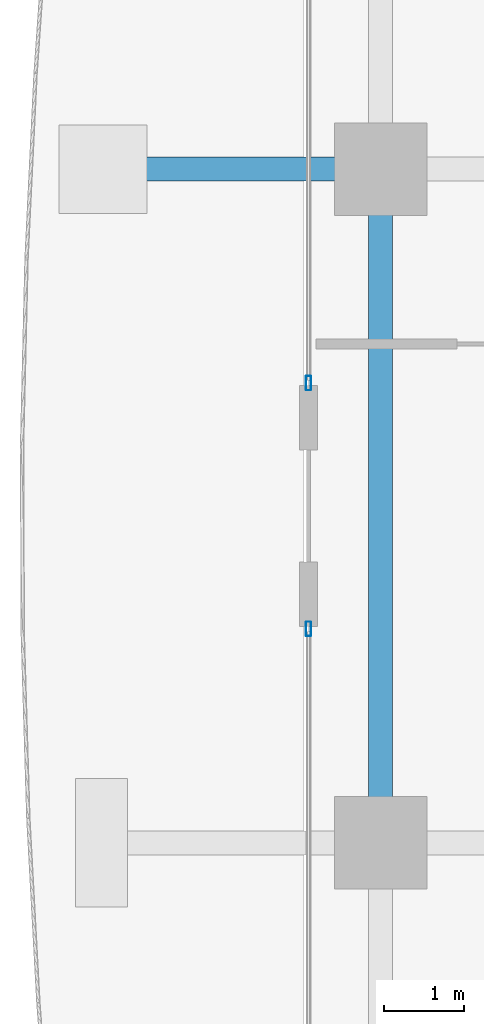
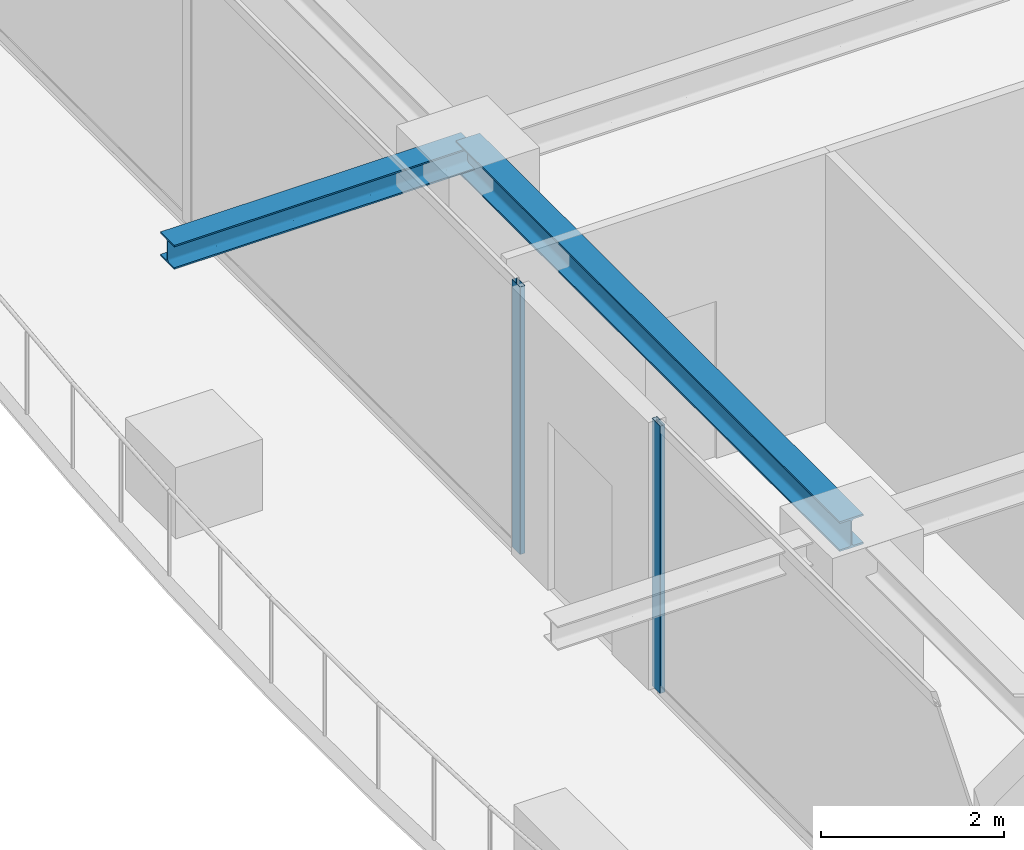
# One storey, part 9 of 35: 2 beams, 2 members, 2 elements without a shape of their own.
"""IFC4 building model written with IfcOpenShell, lengths in metres."""

from ifc_helpers import new_model, si_unit, direction, frame, origin, origin_2d, place, context, subcontext, project, spatial, hollow_rectangle, i_section, extrude, source, transform, mapped, material, layer, layer_set, material_profile, profile_set, type_object, element, aggregate, save


model = new_model("IFC4")

# Units and contexts
model_context = context("Model", 3, precision=1e-05, world=origin(), true_north=direction((0.0, 1.0)))
body_context = subcontext(model_context, "Body", "Model", "MODEL_VIEW")
ifc_project = project(units=[si_unit("LENGTHUNIT", "METRE"), si_unit("AREAUNIT", "SQUARE_METRE"), si_unit("VOLUMEUNIT", "CUBIC_METRE"), si_unit("PLANEANGLEUNIT", "RADIAN"), si_unit("MASSUNIT", "GRAM", prefix="KILO")], contexts=[model_context])

# Site, building, storey
site_placement = place(None, origin())
site = spatial("IfcSite", under=ifc_project, at=site_placement, CompositionType="ELEMENT")
building_placement = place(site_placement, origin())
building = spatial("IfcBuilding", under=site, at=building_placement, Name="Serunith Strait Residences", CompositionType="ELEMENT")
storey_placement = place(building_placement, frame((0.0, 0.0, 210.449951171875)))
storey = spatial("IfcBuildingStorey", under=building, at=storey_placement, Name="L52", CompositionType="ELEMENT", Elevation=210.449951171875)

# Beams
ifc_material_1 = material(Name="Steel S355J2", Category="steel")
ifc_material_profile_1 = material_profile(ifc_material_1, i_section(OverallWidth=0.300048828125, OverallDepth=0.39990234375, WebThickness=0.013427734375, FlangeThickness=0.02392578125, FilletRadius=0.027099609375, at=origin_2d()), Name="HEB 400")
ifc_profile_set_1 = profile_set([ifc_material_profile_1], Name="Steel S355J2")
beam_type_1 = type_object("IfcBeamType", Name="BM-HEB400", PredefinedType="BEAM", material=ifc_profile_set_1)
shared_shape_1 = source(origin(), body_context, "Body", "SweptSolid", [
    extrude(i_section(OverallWidth=0.300048828125, OverallDepth=0.39990234375, WebThickness=0.013427734375, FlangeThickness=0.02392578125, FilletRadius=0.027099609375, at=origin_2d()), origin(), (0.0, 0.0, 1.0), 8.39990234375),
])
beam_1_placement = place(storey_placement, frame((8.300048828125, 29.39990234375, 3.386962890625), z_axis=(0.0, -1.0, 0.0), x_axis=(1.0, 0.0, 0.0)))
element("IfcBeam", 1, at=beam_1_placement, inside=storey, type_object=beam_type_1, Name="L52 Perimeter Ring Beam 14", PredefinedType="BEAM", context=body_context, shape_type="MappedRepresentation", body=[
    mapped(shared_shape_1, transform((0.0, 0.0, 0.0), scale=1.0)),
])
ifc_material_profile_2 = material_profile(ifc_material_1, i_section(OverallWidth=0.300048828125, OverallDepth=0.320068359375, WebThickness=0.011474609375, FlangeThickness=0.0205078125, FilletRadius=0.027099609375, at=origin_2d()), Name="HEB 320")
ifc_profile_set_2 = profile_set([ifc_material_profile_2], Name="Steel S355J2")
beam_type_2 = type_object("IfcBeamType", Name="BM-HEB320", PredefinedType="BEAM", material=ifc_profile_set_2)
shared_shape_2 = source(origin(), body_context, "Body", "SweptSolid", [
    extrude(i_section(OverallWidth=0.300048828125, OverallDepth=0.320068359375, WebThickness=0.011474609375, FlangeThickness=0.0205078125, FilletRadius=0.027099609375, at=origin_2d()), origin(), (0.0, 0.0, 1.0), 3.800048828125),
])
beam_2_placement = place(storey_placement, frame((8.300048828125, 29.39990234375, 3.39697265625), z_axis=(-1.0, 0.0, 0.0), x_axis=(0.0, -1.0, 0.0)))
element("IfcBeam", 2, at=beam_2_placement, inside=storey, type_object=beam_type_2, Name="L53 Cantilevered Balcony Rib TC-W3", PredefinedType="BEAM", context=body_context, shape_type="MappedRepresentation", body=[
    mapped(shared_shape_2, transform((0.0, 0.0, 0.0), scale=1.0)),
])

# Curtain wall, member
ifc_material_2 = material(Name="Pale-Champagne Anodised Aluminium", Category="aluminium")
ifc_layer = layer(ifc_material_2, 0.199951171875, Name="Pale-Champagne Anodised Aluminium")
ifc_layer_set = layer_set([ifc_layer], Name="Pale-Champagne Anodised Aluminium")
curtain_wall_type = type_object("IfcCurtainWallType", Name="CW-SYS4", PredefinedType="NOTDEFINED", material=ifc_layer_set)
curtain_wall_1_placement = place(storey_placement, origin())
curtain_wall_1 = element("IfcCurtainWall", 3, at=curtain_wall_1_placement, inside=storey, type_object=curtain_wall_type, Name="L52 W Unitised Fritted Curtain Wall", PredefinedType="NOTDEFINED")
ifc_material_profile_3 = material_profile(ifc_material_2, hollow_rectangle(XDim=0.06494140625, YDim=0.179931640625, WallThickness=0.00341796875, InnerFilletRadius=0.00537109375, OuterFilletRadius=0.0087890625, at=origin_2d()), Name="ALU 180x65x3.5")
ifc_profile_set_3 = profile_set([ifc_material_profile_3], Name="Pale-Champagne Anodised Aluminium")
member_type = type_object("IfcMemberType", Name="CW-SYS4-MULL", PredefinedType="MULLION", material=ifc_profile_set_3)
shared_shape_3 = source(origin(), body_context, "Body", "SweptSolid", [
    extrude(hollow_rectangle(XDim=0.06494140625, YDim=0.179931640625, WallThickness=0.00341796875, InnerFilletRadius=0.00537109375, OuterFilletRadius=0.0087890625, at=origin_2d()), origin(), (0.0, 0.0, 1.0), 3.574951171875),
])
member_1_placement = place(storey_placement, frame((7.39990234375, 26.732421875, 0.0), z_axis=(0.0, 0.0, 1.0), x_axis=(1.0, 0.0, 0.0)))
member_1 = element("IfcMember", 4, at=member_1_placement, type_object=member_type, Name="CW-4 mullion 3", PredefinedType="MULLION", context=body_context, shape_type="MappedRepresentation", body=[
    mapped(shared_shape_3, transform((0.0, 0.0, 0.0), scale=1.0)),
])
aggregate(curtain_wall_1, [member_1])

curtain_wall_2_placement = place(storey_placement, origin())
curtain_wall_2 = element("IfcCurtainWall", 5, at=curtain_wall_2_placement, inside=storey, type_object=curtain_wall_type, Name="L52 W Unitised Fritted Curtain Wall", PredefinedType="NOTDEFINED")
member_2_placement = place(storey_placement, frame((7.39990234375, 23.66748046875, 0.0), z_axis=(0.0, 0.0, 1.0), x_axis=(1.0, 0.0, 0.0)))
member_2 = element("IfcMember", 6, at=member_2_placement, type_object=member_type, Name="CW-4 mullion 1", PredefinedType="MULLION", context=body_context, shape_type="MappedRepresentation", body=[
    mapped(shared_shape_3, transform((0.0, 0.0, 0.0), scale=1.0)),
])
aggregate(curtain_wall_2, [member_2])

save(model, "model.ifc")
